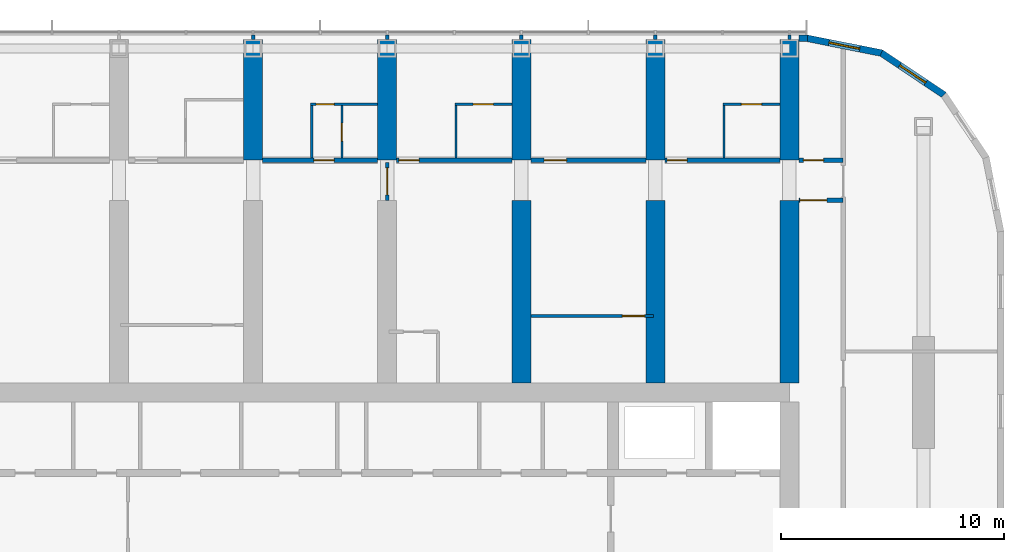
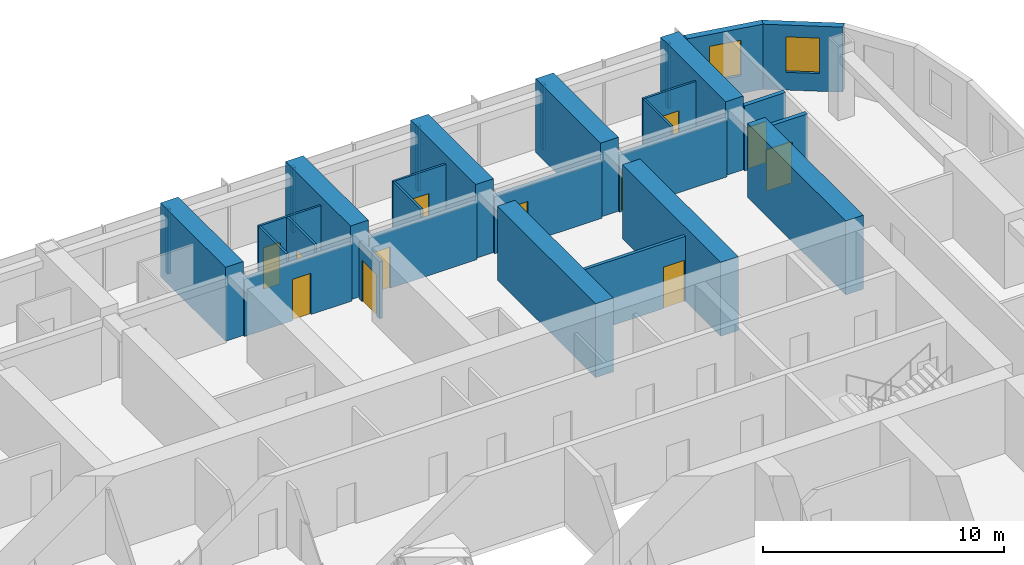
# One storey, part 16 of 22: 31 walls, 12 doors, 2 windows, 14 openings.
"""IFC4 building model written with IfcOpenShell, lengths in metres."""

from ifc_helpers import new_model, si_unit, direction, frame, frame_2d, origin, place, context, subcontext, project, spatial, polyline, rectangle, outline, extrude, material, layer, layer_set, type_object, element, fill, save


model = new_model("IFC4")

# Units and contexts
model_context = context("Model", 3, precision=1e-05, world=origin(), true_north=direction((0.0, 1.0)))
body_context = subcontext(model_context, "Body", "Model", "MODEL_VIEW")
ifc_project = project(units=[si_unit("LENGTHUNIT", "METRE"), si_unit("AREAUNIT", "SQUARE_METRE"), si_unit("VOLUMEUNIT", "CUBIC_METRE"), si_unit("PLANEANGLEUNIT", "RADIAN"), si_unit("MASSUNIT", "GRAM", prefix="KILO")], contexts=[model_context])

# Site, building, storey
site_placement = place(None, origin())
site = spatial("IfcSite", under=ifc_project, at=site_placement, CompositionType="ELEMENT")
building_placement = place(site_placement, origin())
building = spatial("IfcBuilding", under=site, at=building_placement, Name="Orbita Commons", CompositionType="ELEMENT")
storey_placement = place(building_placement, frame((0.0, 0.0, 144.85009765625)))
storey = spatial("IfcBuildingStorey", under=building, at=storey_placement, Name="L35", CompositionType="ELEMENT", Elevation=144.85009765625)

# Wall, opening, door
ifc_material_1 = material(Name="Concrete blockwork", Category="masonry")
ifc_layer_1 = layer(ifc_material_1, 0.199951171875)
ifc_layer_set_1 = layer_set([ifc_layer_1], Name="Concrete blockwork")
wall_type_1 = type_object("IfcWallType", Name="Corridor wall 200 blockwork", PredefinedType="SOLIDWALL", material=ifc_layer_set_1)
wall_1_placement = place(storey_placement, frame((42.425048828125, 48.60009765625, 0.0), z_axis=(0.0, 0.0, 1.0), x_axis=(1.0, 0.0, 0.0)))
wall_1 = element("IfcWall", 1, at=wall_1_placement, inside=storey, type_object=wall_type_1, Name="Corridor wall 200 blockwork L35", PredefinedType="SOLIDWALL", context=body_context, shape_type="SweptSolid", body=[
    extrude(outline(polyline([(0.0, 0.0), (5.14990234375, 0.0), (5.14990234375, 2.89990234375), (0.0, 2.89990234375), (0.0, 0.0)])), frame((0.0, 0.10009765625, 0.0), z_axis=(0.0, -1.0, 0.0), x_axis=(1.0, 0.0, 0.0)), (0.0, 0.0, 1.0), 0.199951171875),
])
opening_1_placement = place(wall_1_placement, frame((2.300048828125, 0.0, 0.0)))
opening_1 = element("IfcOpeningElement", 2, at=opening_1_placement, cuts=wall_1, Name="Opening D11", PredefinedType="OPENING", context=body_context, shape_type="SweptSolid", body=[
    extrude(rectangle(XDim=0.89990234375, YDim=2.10009765625, at=frame_2d((0.449951171875, 1.050048828125))), frame((0.0, 0.10986328125, 0.0), z_axis=(0.0, -1.0, 0.0), x_axis=(1.0, 0.0, 0.0)), (0.0, 0.0, 1.0), 0.219970703125),
])
ifc_material_2 = material(Name="Steel-faced fire door leaf", Category="steel")
door_type_1 = type_object("IfcDoorType", Name="Corridor door 20 min 900x2100", OperationType="SINGLE_SWING_LEFT", PredefinedType="DOOR", material=ifc_material_2)
door_1_placement = place(opening_1_placement, origin())
door_1 = element("IfcDoor", 3, at=door_1_placement, inside=storey, type_object=door_type_1, Name="Studio flat L35-N08 entrance door", OperationType="SINGLE_SWING_LEFT", OverallHeight=2.10009765625, OverallWidth=0.89990234375, PredefinedType="DOOR", context=body_context, shape_type="SweptSolid", body=[
    extrude(rectangle(XDim=0.89990234375, YDim=2.10009765625, at=frame_2d((0.449951171875, 1.050048828125))), frame((0.0, 0.02490234375, 0.0), z_axis=(0.0, -1.0, 0.0), x_axis=(1.0, 0.0, 0.0)), (0.0, 0.0, 1.0), 0.050048828125),
])
fill(opening_1, door_1)

wall_2_placement = place(storey_placement, frame((48.425048828125, 48.60009765625, 0.0), z_axis=(0.0, 0.0, 1.0), x_axis=(1.0, 0.0, 0.0)))
wall_2 = element("IfcWall", 4, at=wall_2_placement, inside=storey, type_object=wall_type_1, Name="Corridor wall 200 blockwork L35", PredefinedType="SOLIDWALL", context=body_context, shape_type="SweptSolid", body=[
    extrude(outline(polyline([(0.0, 0.0), (5.14990234375, 0.0), (5.14990234375, 2.89990234375), (0.0, 2.89990234375), (0.0, 0.0)])), frame((0.0, 0.10009765625, 0.0), z_axis=(0.0, -1.0, 0.0), x_axis=(1.0, 0.0, 0.0)), (0.0, 0.0, 1.0), 0.199951171875),
])
opening_2_placement = place(wall_2_placement, frame((0.10009765625, 0.0, 0.0)))
opening_2 = element("IfcOpeningElement", 5, at=opening_2_placement, cuts=wall_2, Name="Opening D11", PredefinedType="OPENING", context=body_context, shape_type="SweptSolid", body=[
    extrude(rectangle(XDim=0.89990234375, YDim=2.10009765625, at=frame_2d((0.449951171875, 1.050048828125))), frame((0.0, 0.10986328125, 0.0), z_axis=(0.0, -1.0, 0.0), x_axis=(1.0, 0.0, 0.0)), (0.0, 0.0, 1.0), 0.219970703125),
])
door_2_placement = place(opening_2_placement, origin())
door_2 = element("IfcDoor", 6, at=door_2_placement, inside=storey, type_object=door_type_1, Name="Twin room L35-N10 door", OperationType="SINGLE_SWING_LEFT", OverallHeight=2.10009765625, OverallWidth=0.89990234375, PredefinedType="DOOR", context=body_context, shape_type="SweptSolid", body=[
    extrude(rectangle(XDim=0.89990234375, YDim=2.10009765625, at=frame_2d((0.449951171875, 1.050048828125))), frame((0.0, 0.02490234375, 0.0), z_axis=(0.0, -1.0, 0.0), x_axis=(1.0, 0.0, 0.0)), (0.0, 0.0, 1.0), 0.050048828125),
])
fill(opening_2, door_2)

wall_3_placement = place(storey_placement, frame((54.425048828125, 48.60009765625, 0.0), z_axis=(0.0, 0.0, 1.0), x_axis=(1.0, 0.0, 0.0)))
wall_3 = element("IfcWall", 7, at=wall_3_placement, inside=storey, type_object=wall_type_1, Name="Corridor wall 200 blockwork L35", PredefinedType="SOLIDWALL", context=body_context, shape_type="SweptSolid", body=[
    extrude(outline(polyline([(0.0, 0.0), (5.14990234375, 0.0), (5.14990234375, 2.89990234375), (0.0, 2.89990234375), (0.0, 0.0)])), frame((0.0, 0.10009765625, 0.0), z_axis=(0.0, -1.0, 0.0), x_axis=(1.0, 0.0, 0.0)), (0.0, 0.0, 1.0), 0.199951171875),
])
opening_3_placement = place(wall_3_placement, frame((0.60009765625, 0.0, 0.0)))
opening_3 = element("IfcOpeningElement", 8, at=opening_3_placement, cuts=wall_3, Name="Opening D06", PredefinedType="OPENING", context=body_context, shape_type="SweptSolid", body=[
    extrude(rectangle(XDim=1.0, YDim=2.10009765625, at=frame_2d((0.5, 1.050048828125))), frame((0.0, 0.10986328125, 0.0), z_axis=(0.0, -1.0, 0.0), x_axis=(1.0, 0.0, 0.0)), (0.0, 0.0, 1.0), 0.219970703125),
])
ifc_material_3 = material(Name="Steel-faced fire door leaf", Category="steel")
door_type_2 = type_object("IfcDoorType", Name="Corridor door 20 min 1000x2100", OperationType="SINGLE_SWING_LEFT", PredefinedType="DOOR", material=ifc_material_3)
door_3_placement = place(opening_3_placement, origin())
door_3 = element("IfcDoor", 9, at=door_3_placement, inside=storey, type_object=door_type_2, Name="Cluster kitchen-diner L35-N12 door", OperationType="SINGLE_SWING_LEFT", OverallHeight=2.10009765625, OverallWidth=1.0, PredefinedType="DOOR", context=body_context, shape_type="SweptSolid", body=[
    extrude(rectangle(XDim=1.0, YDim=2.10009765625, at=frame_2d((0.5, 1.050048828125))), frame((0.0, 0.02490234375, 0.0), z_axis=(0.0, -1.0, 0.0), x_axis=(1.0, 0.0, 0.0)), (0.0, 0.0, 1.0), 0.050048828125),
])
fill(opening_3, door_3)

wall_4_placement = place(storey_placement, frame((60.425048828125, 48.60009765625, 0.0), z_axis=(0.0, 0.0, 1.0), x_axis=(1.0, 0.0, 0.0)))
wall_4 = element("IfcWall", 10, at=wall_4_placement, inside=storey, type_object=wall_type_1, Name="Corridor wall 200 blockwork L35", PredefinedType="SOLIDWALL", context=body_context, shape_type="SweptSolid", body=[
    extrude(outline(polyline([(0.0, 0.0), (5.14990234375, 0.0), (5.14990234375, 2.89990234375), (0.0, 2.89990234375), (0.0, 0.0)])), frame((0.0, 0.10009765625, 0.0), z_axis=(0.0, -1.0, 0.0), x_axis=(1.0, 0.0, 0.0)), (0.0, 0.0, 1.0), 0.199951171875),
])
opening_4_placement = place(wall_4_placement, frame((0.10009765625, 0.0, 0.0)))
opening_4 = element("IfcOpeningElement", 11, at=opening_4_placement, cuts=wall_4, Name="Opening D11", PredefinedType="OPENING", context=body_context, shape_type="SweptSolid", body=[
    extrude(rectangle(XDim=0.89990234375, YDim=2.10009765625, at=frame_2d((0.449951171875, 1.050048828125))), frame((0.0, 0.10986328125, 0.0), z_axis=(0.0, -1.0, 0.0), x_axis=(1.0, 0.0, 0.0)), (0.0, 0.0, 1.0), 0.219970703125),
])
door_4_placement = place(opening_4_placement, origin())
door_4 = element("IfcDoor", 12, at=door_4_placement, inside=storey, type_object=door_type_1, Name="Twin room L35-N14 door", OperationType="SINGLE_SWING_LEFT", OverallHeight=2.10009765625, OverallWidth=0.89990234375, PredefinedType="DOOR", context=body_context, shape_type="SweptSolid", body=[
    extrude(rectangle(XDim=0.89990234375, YDim=2.10009765625, at=frame_2d((0.449951171875, 1.050048828125))), frame((0.0, 0.02490234375, 0.0), z_axis=(0.0, -1.0, 0.0), x_axis=(1.0, 0.0, 0.0)), (0.0, 0.0, 1.0), 0.050048828125),
])
fill(opening_4, door_4)

wall_5_placement = place(storey_placement, frame((66.425048828125, 48.60009765625, 0.0), z_axis=(0.0, 0.0, 1.0), x_axis=(1.0, 0.0, 0.0)))
wall_5 = element("IfcWall", 13, at=wall_5_placement, inside=storey, type_object=wall_type_1, Name="Corridor wall 200 blockwork L35", PredefinedType="SOLIDWALL", context=body_context, shape_type="SweptSolid", body=[
    extrude(rectangle(XDim=1.974853515625, YDim=0.199951171875, at=frame_2d((0.9873046875, 0.0))), origin(), (0.0, 0.0, 1.0), 3.2998046875),
])
opening_5_placement = place(wall_5_placement, frame((0.199951171875, 0.0, 0.0)))
opening_5 = element("IfcOpeningElement", 14, at=opening_5_placement, cuts=wall_5, Name="Opening D05", PredefinedType="OPENING", context=body_context, shape_type="SweptSolid", body=[
    extrude(rectangle(XDim=0.89990234375, YDim=2.10009765625, at=frame_2d((0.449951171875, 1.050048828125))), frame((0.0, 0.10986328125, 0.0), z_axis=(0.0, -1.0, 0.0), x_axis=(1.0, 0.0, 0.0)), (0.0, 0.0, 1.0), 0.219970703125),
])
ifc_material_4 = material(Name="Steel-faced fire door leaf", Category="steel")
door_type_3 = type_object("IfcDoorType", Name="Service door 20 min 900x2100", OperationType="SINGLE_SWING_LEFT", PredefinedType="DOOR", material=ifc_material_4)
door_5_placement = place(opening_5_placement, origin())
door_5 = element("IfcDoor", 15, at=door_5_placement, inside=storey, type_object=door_type_3, Name="Linen store L35-KEN door", OperationType="SINGLE_SWING_LEFT", OverallHeight=2.10009765625, OverallWidth=0.89990234375, PredefinedType="DOOR", context=body_context, shape_type="SweptSolid", body=[
    extrude(rectangle(XDim=0.89990234375, YDim=2.10009765625, at=frame_2d((0.449951171875, 1.050048828125))), frame((0.0, 0.02490234375, 0.0), z_axis=(0.0, -1.0, 0.0), x_axis=(1.0, 0.0, 0.0)), (0.0, 0.0, 1.0), 0.050048828125),
])
fill(opening_5, door_5)

ifc_material_5 = material(Name="Hollow concrete block 200", Category="concrete")
ifc_layer_2 = layer(ifc_material_5, 0.199951171875)
ifc_layer_set_2 = layer_set([ifc_layer_2], Name="Hollow concrete block 200")
wall_type_2 = type_object("IfcWallType", Name="Corridor wall 200 hollow concrete block", PredefinedType="SOLIDWALL", material=ifc_layer_set_2)
wall_6_placement = place(storey_placement, frame((66.425048828125, 46.800048828125, 0.0), z_axis=(0.0, 0.0, 1.0), x_axis=(1.0, 0.0, 0.0)))
wall_6 = element("IfcWall", 16, at=wall_6_placement, inside=storey, type_object=wall_type_2, Name="Corridor wall 200 hollow concrete block L35", PredefinedType="SOLIDWALL", context=body_context, shape_type="SweptSolid", body=[
    extrude(rectangle(XDim=1.974853515625, YDim=0.199951171875, at=frame_2d((0.9873046875, 0.0))), origin(), (0.0, 0.0, 1.0), 3.2998046875),
])
opening_6_placement = place(wall_6_placement, frame((0.050048828125, 0.0, 0.0)))
opening_6 = element("IfcOpeningElement", 17, at=opening_6_placement, cuts=wall_6, Name="Opening D12", PredefinedType="OPENING", context=body_context, shape_type="SweptSolid", body=[
    extrude(rectangle(XDim=1.199951171875, YDim=2.10009765625, at=frame_2d((0.60009765625, 1.050048828125))), frame((0.0, 0.10986328125, 0.0), z_axis=(0.0, -1.0, 0.0), x_axis=(1.0, 0.0, 0.0)), (0.0, 0.0, 1.0), 0.219970703125),
])
ifc_material_6 = material(Name="Steel-faced fire door leaf", Category="steel")
door_type_4 = type_object("IfcDoorType", Name="Double corridor door 20 min 1200x2100", OperationType="DOUBLE_DOOR_SINGLE_SWING", PredefinedType="DOOR", material=ifc_material_6)
door_6_placement = place(opening_6_placement, origin())
door_6 = element("IfcDoor", 18, at=door_6_placement, inside=storey, type_object=door_type_4, Name="Cross corridor doors", OperationType="DOUBLE_DOOR_SINGLE_SWING", OverallHeight=2.10009765625, OverallWidth=1.199951171875, PredefinedType="DOOR", context=body_context, shape_type="SweptSolid", body=[
    extrude(rectangle(XDim=1.199951171875, YDim=2.10009765625, at=frame_2d((0.60009765625, 1.050048828125))), frame((0.0, 0.02490234375, 0.0), z_axis=(0.0, -1.0, 0.0), x_axis=(1.0, 0.0, 0.0)), (0.0, 0.0, 1.0), 0.050048828125),
])
fill(opening_6, door_6)

# Walls
ifc_material_7 = material(Name="Concrete C50/60", Category="concrete")
ifc_layer_3 = layer(ifc_material_7, 0.85009765625)
ifc_layer_set_3 = layer_set([ifc_layer_3], Name="Concrete C50/60")
wall_type_3 = type_object("IfcWallType", Name="Cross wall 850 C50/60", PredefinedType="SHEAR", material=ifc_layer_set_3)
for number, where, z_axis, x_axis, name in (
    (19, (42.0, 48.60009765625, 0.0), (0.0, 0.0, 1.0), (0.0, 1.0, 0.0), "Cross wall 8 north outer L35"),
    (20, (48.0, 48.60009765625, 0.0), (0.0, 0.0, 1.0), (0.0, 1.0, 0.0), "Cross wall 9 north outer L35"),
    (21, (54.0, 48.60009765625, 0.0), (0.0, 0.0, 1.0), (0.0, 1.0, 0.0), "Cross wall 10 north outer L35"),
):
    element("IfcWall", number, at=place(storey_placement, frame(where, z_axis=z_axis, x_axis=x_axis)), inside=storey, type_object=wall_type_3, Name=name, PredefinedType="SHEAR", context=body_context, shape_type="SweptSolid", body=[
        extrude(rectangle(XDim=5.39990234375, YDim=0.85009765625, at=frame_2d((2.699951171875, 0.0))), origin(), (0.0, 0.0, 1.0), 3.75),
    ])
wall_7_placement = place(storey_placement, frame((54.0, 38.625, 0.0), z_axis=(0.0, 0.0, 1.0), x_axis=(0.0, 1.0, 0.0)))
element("IfcWall", 22, at=wall_7_placement, inside=storey, type_object=wall_type_3, Name="Cross wall 10 north inner L35", PredefinedType="SHEAR", context=body_context, shape_type="SweptSolid", body=[
    extrude(rectangle(XDim=8.175048828125, YDim=0.85009765625, at=frame_2d((4.08740234375, 0.0))), origin(), (0.0, 0.0, 1.0), 3.75),
])
wall_8_placement = place(storey_placement, frame((60.0, 48.60009765625, 0.0), z_axis=(0.0, 0.0, 1.0), x_axis=(0.0, 1.0, 0.0)))
element("IfcWall", 23, at=wall_8_placement, inside=storey, type_object=wall_type_3, Name="Cross wall 11 north outer L35", PredefinedType="SHEAR", context=body_context, shape_type="SweptSolid", body=[
    extrude(rectangle(XDim=5.39990234375, YDim=0.85009765625, at=frame_2d((2.699951171875, 0.0))), origin(), (0.0, 0.0, 1.0), 3.75),
])
wall_9_placement = place(storey_placement, frame((60.0, 38.625, 0.0), z_axis=(0.0, 0.0, 1.0), x_axis=(0.0, 1.0, 0.0)))
element("IfcWall", 24, at=wall_9_placement, inside=storey, type_object=wall_type_3, Name="Cross wall 11 north inner L35", PredefinedType="SHEAR", context=body_context, shape_type="SweptSolid", body=[
    extrude(rectangle(XDim=8.175048828125, YDim=0.85009765625, at=frame_2d((4.08740234375, 0.0))), origin(), (0.0, 0.0, 1.0), 3.75),
])
wall_10_placement = place(storey_placement, frame((66.0, 48.60009765625, 0.0), z_axis=(0.0, 0.0, 1.0), x_axis=(0.0, 1.0, 0.0)))
element("IfcWall", 25, at=wall_10_placement, inside=storey, type_object=wall_type_3, Name="Cross wall 12 north outer L35", PredefinedType="SHEAR", context=body_context, shape_type="SweptSolid", body=[
    extrude(rectangle(XDim=5.39990234375, YDim=0.85009765625, at=frame_2d((2.699951171875, 0.0))), origin(), (0.0, 0.0, 1.0), 3.75),
])
wall_11_placement = place(storey_placement, frame((66.0, 38.625, 0.0), z_axis=(0.0, 0.0, 1.0), x_axis=(0.0, 1.0, 0.0)))
element("IfcWall", 26, at=wall_11_placement, inside=storey, type_object=wall_type_3, Name="Cross wall 12 north inner L35", PredefinedType="SHEAR", context=body_context, shape_type="SweptSolid", body=[
    extrude(rectangle(XDim=8.175048828125, YDim=0.85009765625, at=frame_2d((4.08740234375, 0.0))), origin(), (0.0, 0.0, 1.0), 3.75),
])

# Wall, opening, door
ifc_material_8 = material(Name="Moisture-resistant plasterboard on steel studs", Category="steel")
ifc_layer_4 = layer(ifc_material_8, 0.10009765625)
ifc_layer_set_4 = layer_set([ifc_layer_4], Name="Moisture-resistant plasterboard on steel studs")
wall_type_4 = type_object("IfcWallType", Name="En-suite partition 100", PredefinedType="PARTITIONING", material=ifc_layer_set_4)
wall_12_placement = place(storey_placement, frame((44.574951171875, 51.10009765625, 0.0), z_axis=(0.0, 0.0, 1.0), x_axis=(1.0, 0.0, 0.0)))
wall_12 = element("IfcWall", 27, at=wall_12_placement, inside=storey, type_object=wall_type_4, Name="En-suite partition 100 L35", PredefinedType="PARTITIONING", context=body_context, shape_type="SweptSolid", body=[
    extrude(rectangle(XDim=3.0, YDim=0.10009765625, at=frame_2d((1.5, 0.0))), origin(), (0.0, 0.0, 1.0), 3.2998046875),
])
opening_7_placement = place(wall_12_placement, frame((0.25, 0.0, 0.0)))
opening_7 = element("IfcOpeningElement", 28, at=opening_7_placement, cuts=wall_12, Name="Opening D16", PredefinedType="OPENING", context=body_context, shape_type="SweptSolid", body=[
    extrude(rectangle(XDim=0.800048828125, YDim=2.10009765625, at=frame_2d((0.39990234375, 1.050048828125))), frame((0.0, 0.06005859375, 0.0), z_axis=(0.0, -1.0, 0.0), x_axis=(1.0, 0.0, 0.0)), (0.0, 0.0, 1.0), 0.1201171875),
])
ifc_material_9 = material(Name="Laminated timber door leaf", Category="wood")
door_type_5 = type_object("IfcDoorType", Name="En-suite door 800x2100", OperationType="SINGLE_SWING_RIGHT", PredefinedType="DOOR", material=ifc_material_9)
door_7_placement = place(opening_7_placement, origin())
door_7 = element("IfcDoor", 29, at=door_7_placement, inside=storey, type_object=door_type_5, Name="Studio flat L35-N08 door", OperationType="SINGLE_SWING_RIGHT", OverallHeight=2.10009765625, OverallWidth=0.800048828125, PredefinedType="DOOR", context=body_context, shape_type="SweptSolid", body=[
    extrude(rectangle(XDim=0.800048828125, YDim=2.10009765625, at=frame_2d((0.39990234375, 1.050048828125))), frame((0.0, 0.02490234375, 0.0), z_axis=(0.0, -1.0, 0.0), x_axis=(1.0, 0.0, 0.0)), (0.0, 0.0, 1.0), 0.050048828125),
])
fill(opening_7, door_7)

# Wall
wall_13_placement = place(storey_placement, frame((44.625, 51.050048828125, 0.0), z_axis=(0.0, 0.0, 1.0), x_axis=(0.0, -1.0, 0.0)))
element("IfcWall", 30, at=wall_13_placement, inside=storey, type_object=wall_type_4, Name="En-suite partition 100 L35", PredefinedType="PARTITIONING", context=body_context, shape_type="SweptSolid", body=[
    extrude(outline(polyline([(0.0, 0.0), (2.35009765625, 0.0), (2.35009765625, 2.89990234375), (2.302001953125, 2.89990234375), (2.300048828125, 3.2998046875), (0.0, 3.2998046875), (0.0, 0.0)])), frame((0.0, 0.050048828125, 0.0), z_axis=(0.0, -1.0, 0.0), x_axis=(1.0, 0.0, 0.0)), (0.0, 0.0, 1.0), 0.10009765625),
])

# Wall, opening, door
wall_14_placement = place(storey_placement, frame((45.97509765625, 51.050048828125, 0.0), z_axis=(0.0, 0.0, 1.0), x_axis=(0.0, -1.0, 0.0)))
wall_14 = element("IfcWall", 31, at=wall_14_placement, inside=storey, type_object=wall_type_4, Name="En-suite partition 100 L35", PredefinedType="PARTITIONING", context=body_context, shape_type="SweptSolid", body=[
    extrude(outline(polyline([(0.0, 0.0), (2.35009765625, 0.0), (2.35009765625, 2.89990234375), (2.302001953125, 2.89990234375), (2.300048828125, 3.2998046875), (0.0, 3.2998046875), (0.0, 0.0)])), frame((0.0, 0.050048828125, 0.0), z_axis=(0.0, -1.0, 0.0), x_axis=(1.0, 0.0, 0.0)), (0.0, 0.0, 1.0), 0.10009765625),
])
opening_8_placement = place(wall_14_placement, frame((0.800048828125, 0.0, 0.0)))
opening_8 = element("IfcOpeningElement", 32, at=opening_8_placement, cuts=wall_14, Name="Opening D16", PredefinedType="OPENING", context=body_context, shape_type="SweptSolid", body=[
    extrude(rectangle(XDim=0.800048828125, YDim=2.10009765625, at=frame_2d((0.39990234375, 1.050048828125))), frame((0.0, 0.06005859375, 0.0), z_axis=(0.0, -1.0, 0.0), x_axis=(1.0, 0.0, 0.0)), (0.0, 0.0, 1.0), 0.1201171875),
])
door_8_placement = place(opening_8_placement, origin())
door_8 = element("IfcDoor", 33, at=door_8_placement, inside=storey, type_object=door_type_5, Name="Studio flat shower room L35-N08 door", OperationType="SINGLE_SWING_RIGHT", OverallHeight=2.10009765625, OverallWidth=0.800048828125, PredefinedType="DOOR", context=body_context, shape_type="SweptSolid", body=[
    extrude(rectangle(XDim=0.800048828125, YDim=2.10009765625, at=frame_2d((0.39990234375, 1.050048828125))), frame((0.0, 0.02490234375, 0.0), z_axis=(0.0, -1.0, 0.0), x_axis=(1.0, 0.0, 0.0)), (0.0, 0.0, 1.0), 0.050048828125),
])
fill(opening_8, door_8)

wall_15_placement = place(storey_placement, frame((51.02490234375, 51.10009765625, 0.0), z_axis=(0.0, 0.0, 1.0), x_axis=(1.0, 0.0, 0.0)))
wall_15 = element("IfcWall", 34, at=wall_15_placement, inside=storey, type_object=wall_type_4, Name="En-suite partition 100 L35", PredefinedType="PARTITIONING", context=body_context, shape_type="SweptSolid", body=[
    extrude(rectangle(XDim=2.550048828125, YDim=0.10009765625, at=frame_2d((1.27490234375, 0.0))), origin(), (0.0, 0.0, 1.0), 3.2998046875),
])
opening_9_placement = place(wall_15_placement, frame((0.824951171875, 0.0, 0.0)))
opening_9 = element("IfcOpeningElement", 35, at=opening_9_placement, cuts=wall_15, Name="Opening D09", PredefinedType="OPENING", context=body_context, shape_type="SweptSolid", body=[
    extrude(rectangle(XDim=0.89990234375, YDim=2.10009765625, at=frame_2d((0.449951171875, 1.050048828125))), frame((0.0, 0.06005859375, 0.0), z_axis=(0.0, -1.0, 0.0), x_axis=(1.0, 0.0, 0.0)), (0.0, 0.0, 1.0), 0.1201171875),
])
ifc_material_10 = material(Name="Laminated timber door leaf", Category="wood")
door_type_6 = type_object("IfcDoorType", Name="En-suite door 900x2100", OperationType="SINGLE_SWING_RIGHT", PredefinedType="DOOR", material=ifc_material_10)
door_9_placement = place(opening_9_placement, origin())
door_9 = element("IfcDoor", 36, at=door_9_placement, inside=storey, type_object=door_type_6, Name="En-suite L35-N10 door", OperationType="SINGLE_SWING_RIGHT", OverallHeight=2.10009765625, OverallWidth=0.89990234375, PredefinedType="DOOR", context=body_context, shape_type="SweptSolid", body=[
    extrude(rectangle(XDim=0.89990234375, YDim=2.10009765625, at=frame_2d((0.449951171875, 1.050048828125))), frame((0.0, 0.02490234375, 0.0), z_axis=(0.0, -1.0, 0.0), x_axis=(1.0, 0.0, 0.0)), (0.0, 0.0, 1.0), 0.050048828125),
])
fill(opening_9, door_9)

# Wall
wall_16_placement = place(storey_placement, frame((51.074951171875, 51.050048828125, 0.0), z_axis=(0.0, 0.0, 1.0), x_axis=(0.0, -1.0, 0.0)))
element("IfcWall", 37, at=wall_16_placement, inside=storey, type_object=wall_type_4, Name="En-suite partition 100 L35", PredefinedType="PARTITIONING", context=body_context, shape_type="SweptSolid", body=[
    extrude(outline(polyline([(0.0, 0.0), (2.35009765625, 0.0), (2.35009765625, 2.89990234375), (2.302001953125, 2.89990234375), (2.300048828125, 3.2998046875), (0.0, 3.2998046875), (0.0, 0.0)])), frame((0.0, 0.050048828125, 0.0), z_axis=(0.0, -1.0, 0.0), x_axis=(1.0, 0.0, 0.0)), (0.0, 0.0, 1.0), 0.10009765625),
])

# Wall, opening, door
wall_17_placement = place(storey_placement, frame((63.02490234375, 51.10009765625, 0.0), z_axis=(0.0, 0.0, 1.0), x_axis=(1.0, 0.0, 0.0)))
wall_17 = element("IfcWall", 38, at=wall_17_placement, inside=storey, type_object=wall_type_4, Name="En-suite partition 100 L35", PredefinedType="PARTITIONING", context=body_context, shape_type="SweptSolid", body=[
    extrude(rectangle(XDim=2.550048828125, YDim=0.10009765625, at=frame_2d((1.27490234375, 0.0))), origin(), (0.0, 0.0, 1.0), 3.2998046875),
])
opening_10_placement = place(wall_17_placement, frame((0.824951171875, 0.0, 0.0)))
opening_10 = element("IfcOpeningElement", 39, at=opening_10_placement, cuts=wall_17, Name="Opening D09", PredefinedType="OPENING", context=body_context, shape_type="SweptSolid", body=[
    extrude(rectangle(XDim=0.89990234375, YDim=2.10009765625, at=frame_2d((0.449951171875, 1.050048828125))), frame((0.0, 0.06005859375, 0.0), z_axis=(0.0, -1.0, 0.0), x_axis=(1.0, 0.0, 0.0)), (0.0, 0.0, 1.0), 0.1201171875),
])
door_10_placement = place(opening_10_placement, origin())
door_10 = element("IfcDoor", 40, at=door_10_placement, inside=storey, type_object=door_type_6, Name="En-suite L35-N14 door", OperationType="SINGLE_SWING_RIGHT", OverallHeight=2.10009765625, OverallWidth=0.89990234375, PredefinedType="DOOR", context=body_context, shape_type="SweptSolid", body=[
    extrude(rectangle(XDim=0.89990234375, YDim=2.10009765625, at=frame_2d((0.449951171875, 1.050048828125))), frame((0.0, 0.02490234375, 0.0), z_axis=(0.0, -1.0, 0.0), x_axis=(1.0, 0.0, 0.0)), (0.0, 0.0, 1.0), 0.050048828125),
])
fill(opening_10, door_10)

# Wall
wall_18_placement = place(storey_placement, frame((63.074951171875, 51.050048828125, 0.0), z_axis=(0.0, 0.0, 1.0), x_axis=(0.0, -1.0, 0.0)))
element("IfcWall", 41, at=wall_18_placement, inside=storey, type_object=wall_type_4, Name="En-suite partition 100 L35", PredefinedType="PARTITIONING", context=body_context, shape_type="SweptSolid", body=[
    extrude(outline(polyline([(0.0, 0.0), (2.35009765625, 0.0), (2.35009765625, 2.89990234375), (2.302001953125, 2.89990234375), (2.300048828125, 3.2998046875), (0.0, 3.2998046875), (0.0, 0.0)])), frame((0.0, 0.050048828125, 0.0), z_axis=(0.0, -1.0, 0.0), x_axis=(1.0, 0.0, 0.0)), (0.0, 0.0, 1.0), 0.10009765625),
])

# Wall, opening, door
ifc_material_11 = material(Name="Gypsum plasterboard on steel studs", Category="steel")
ifc_layer_5 = layer(ifc_material_11, 0.14990234375)
ifc_layer_set_5 = layer_set([ifc_layer_5], Name="Gypsum plasterboard on steel studs")
wall_type_5 = type_object("IfcWallType", Name="Partition 150 plasterboard", PredefinedType="PARTITIONING", material=ifc_layer_set_5)
wall_19_placement = place(storey_placement, frame((59.925048828125, 41.625, 0.0), z_axis=(0.0, 0.0, 1.0), x_axis=(-1.0, 0.0, 0.0)))
wall_19 = element("IfcWall", 42, at=wall_19_placement, inside=storey, type_object=wall_type_5, Name="Partition 150 plasterboard L35", PredefinedType="PARTITIONING", context=body_context, shape_type="SweptSolid", body=[
    extrude(rectangle(XDim=5.5, YDim=0.14990234375, at=frame_2d((2.75, 0.0))), origin(), (0.0, 0.0, 1.0), 3.2998046875),
])
opening_11_placement = place(wall_19_placement, frame((0.39990234375, 0.0, 0.0)))
opening_11 = element("IfcOpeningElement", 43, at=opening_11_placement, cuts=wall_19, Name="Opening D18", PredefinedType="OPENING", context=body_context, shape_type="SweptSolid", body=[
    extrude(rectangle(XDim=1.0, YDim=2.10009765625, at=frame_2d((0.5, 1.050048828125))), frame((0.0, 0.0849609375, 0.0), z_axis=(0.0, -1.0, 0.0), x_axis=(1.0, 0.0, 0.0)), (0.0, 0.0, 1.0), 0.169921875),
])
ifc_material_12 = material(Name="Steel-faced fire door leaf", Category="steel")
door_type_7 = type_object("IfcDoorType", Name="Service door 20 min 1000x2100", OperationType="SINGLE_SWING_LEFT", PredefinedType="DOOR", material=ifc_material_12)
door_11_placement = place(opening_11_placement, origin())
door_11 = element("IfcDoor", 44, at=door_11_placement, inside=storey, type_object=door_type_7, Name="Bulk and luggage store L35-BDN54 door", OperationType="SINGLE_SWING_LEFT", OverallHeight=2.10009765625, OverallWidth=1.0, PredefinedType="DOOR", context=body_context, shape_type="SweptSolid", body=[
    extrude(rectangle(XDim=1.0, YDim=2.10009765625, at=frame_2d((0.5, 1.050048828125))), frame((0.0, 0.02490234375, 0.0), z_axis=(0.0, -1.0, 0.0), x_axis=(1.0, 0.0, 0.0)), (0.0, 0.0, 1.0), 0.050048828125),
])
fill(opening_11, door_11)

wall_20_placement = place(storey_placement, frame((48.0, 46.800048828125, 0.0), z_axis=(0.0, 0.0, 1.0), x_axis=(0.0, 1.0, 0.0)))
wall_20 = element("IfcWall", 45, at=wall_20_placement, inside=storey, type_object=wall_type_5, Name="Partition 150 plasterboard L35", PredefinedType="PARTITIONING", context=body_context, shape_type="SweptSolid", body=[
    extrude(outline(polyline([(0.0, 0.0), (1.699951171875, 0.0), (1.699951171875, 2.89990234375), (0.0, 2.89990234375), (0.0, 0.0)])), frame((0.0, 0.074951171875, 0.0), z_axis=(0.0, -1.0, 0.0), x_axis=(1.0, 0.0, 0.0)), (0.0, 0.0, 1.0), 0.14990234375),
])
opening_12_placement = place(wall_20_placement, frame((0.25, 0.0, 0.0)))
opening_12 = element("IfcOpeningElement", 46, at=opening_12_placement, cuts=wall_20, Name="Opening D12", PredefinedType="OPENING", context=body_context, shape_type="SweptSolid", body=[
    extrude(rectangle(XDim=1.199951171875, YDim=2.10009765625, at=frame_2d((0.60009765625, 1.050048828125))), frame((0.0, 0.0849609375, 0.0), z_axis=(0.0, -1.0, 0.0), x_axis=(1.0, 0.0, 0.0)), (0.0, 0.0, 1.0), 0.169921875),
])
door_12_placement = place(opening_12_placement, origin())
door_12 = element("IfcDoor", 47, at=door_12_placement, inside=storey, type_object=door_type_4, Name="Social spine north screen doors", OperationType="DOUBLE_DOOR_SINGLE_SWING", OverallHeight=2.10009765625, OverallWidth=1.199951171875, PredefinedType="DOOR", context=body_context, shape_type="SweptSolid", body=[
    extrude(rectangle(XDim=1.199951171875, YDim=2.10009765625, at=frame_2d((0.60009765625, 1.050048828125))), frame((0.0, 0.02490234375, 0.0), z_axis=(0.0, -1.0, 0.0), x_axis=(1.0, 0.0, 0.0)), (0.0, 0.0, 1.0), 0.050048828125),
])
fill(opening_12, door_12)

# Walls
for number, where, z_axis, x_axis, name in (
    (48, (42.0, 54.0, 0.0), (0.0, 0.0, 1.0), (0.0, 1.0, 0.0), "Partition 150 plasterboard L35"),
    (49, (48.0, 54.0, 0.0), (0.0, 0.0, 1.0), (0.0, 1.0, 0.0), "Partition 150 plasterboard L35"),
    (50, (54.0, 54.0, 0.0), (0.0, 0.0, 1.0), (0.0, 1.0, 0.0), "Partition 150 plasterboard L35"),
    (51, (60.0, 54.0, 0.0), (0.0, 0.0, 1.0), (0.0, 1.0, 0.0), "Partition 150 plasterboard L35"),
    (52, (66.0, 54.0, 0.0), (0.0, 0.0, 1.0), (0.0, 1.0, 0.0), "Partition 150 plasterboard L35"),
):
    element("IfcWall", number, at=place(storey_placement, frame(where, z_axis=z_axis, x_axis=x_axis)), inside=storey, type_object=wall_type_5, Name=name, PredefinedType="PARTITIONING", context=body_context, shape_type="SweptSolid", body=[
        extrude(rectangle(XDim=0.18994140625, YDim=0.14990234375, at=frame_2d((0.094970703125, 0.0))), origin(), (0.0, 0.0, 1.0), 3.2998046875),
    ])

# Wall, opening, window
ifc_material_13 = material(Name="Precast concrete C40/50, white board-marked finish", Category="concrete")
ifc_layer_6 = layer(ifc_material_13, 0.300048828125)
ifc_layer_set_6 = layer_set([ifc_layer_6], Name="Precast concrete C40/50, white board-marked finish")
wall_type_6 = type_object("IfcWallType", Name="Precast concrete end shield 300", PredefinedType="SOLIDWALL", material=ifc_layer_set_6)
wall_21_placement = place(storey_placement, frame((72.91650390625, 51.5166015625, 0.0), z_axis=(0.0, 0.0, 1.0), x_axis=(-0.831493450887, 0.555534554399, 0.0)))
wall_21 = element("IfcWall", 53, at=wall_21_placement, inside=storey, type_object=wall_type_6, Name="End shield NE chord 3 L35", PredefinedType="SOLIDWALL", context=body_context, shape_type="SweptSolid", body=[
    extrude(outline(polyline([(-0.02978515625, -0.14990234375), (3.405029296875, -0.14990234375), (3.345458984375, 0.14990234375), (0.02978515625, 0.14990234375), (-0.02978515625, -0.14990234375)])), origin(), (0.0, 0.0, 1.0), 3.2998046875),
])
opening_13_placement = place(wall_21_placement, frame((0.987548828125, 0.0, 0.89990234375)))
opening_13 = element("IfcOpeningElement", 54, at=opening_13_placement, cuts=wall_21, Name="Opening W02", PredefinedType="OPENING", context=body_context, shape_type="SweptSolid", body=[
    extrude(rectangle(XDim=1.39990234375, YDim=1.800048828125, at=frame_2d((0.699951171875, 0.89990234375))), frame((0.0, 0.159912109375, 0.0), z_axis=(0.0, -1.0, 0.0), x_axis=(1.0, 0.0, 0.0)), (0.0, 0.0, 1.0), 0.320068359375),
])
ifc_material_14 = material(Name="Aluminium frame, clear double glazing", Category="aluminium")
window_type = type_object("IfcWindowType", Name="Deep-set window 1400x1800", PartitioningType="SINGLE_PANEL", PredefinedType="WINDOW", material=ifc_material_14)
window_1_placement = place(opening_13_placement, origin())
window_1 = element("IfcWindow", 55, at=window_1_placement, inside=storey, type_object=window_type, Name="Window L35-NE2", OverallHeight=1.800048828125, OverallWidth=1.39990234375, PartitioningType="SINGLE_PANEL", PredefinedType="WINDOW", context=body_context, shape_type="SweptSolid", body=[
    extrude(rectangle(XDim=1.39990234375, YDim=1.800048828125, at=frame_2d((0.699951171875, 0.89990234375))), frame((0.0, 0.030029296875, 0.0), z_axis=(0.0, -1.0, 0.0), x_axis=(1.0, 0.0, 0.0)), (0.0, 0.0, 1.0), 0.06005859375),
])
fill(opening_13, window_1)

wall_22_placement = place(storey_placement, frame((70.110107421875, 53.3916015625, 0.0), z_axis=(0.0, 0.0, 1.0), x_axis=(-0.98078325777, 0.195100490205, 0.0)))
wall_22 = element("IfcWall", 56, at=wall_22_placement, inside=storey, type_object=wall_type_6, Name="End shield NE chord 4 L35", PredefinedType="SOLIDWALL", context=body_context, shape_type="SweptSolid", body=[
    extrude(outline(polyline([(-0.02978515625, -0.14990234375), (3.40478515625, -0.14990234375), (3.34521484375, 0.14990234375), (0.02978515625, 0.14990234375), (-0.02978515625, -0.14990234375)])), origin(), (0.0, 0.0, 1.0), 3.2998046875),
])
opening_14_placement = place(wall_22_placement, frame((0.987548828125, 0.0, 0.89990234375)))
opening_14 = element("IfcOpeningElement", 57, at=opening_14_placement, cuts=wall_22, Name="Opening W02", PredefinedType="OPENING", context=body_context, shape_type="SweptSolid", body=[
    extrude(rectangle(XDim=1.39990234375, YDim=1.800048828125, at=frame_2d((0.699951171875, 0.89990234375))), frame((0.0, 0.159912109375, 0.0), z_axis=(0.0, -1.0, 0.0), x_axis=(1.0, 0.0, 0.0)), (0.0, 0.0, 1.0), 0.320068359375),
])
window_2_placement = place(opening_14_placement, origin())
window_2 = element("IfcWindow", 58, at=window_2_placement, inside=storey, type_object=window_type, Name="Window L35-NE3", OverallHeight=1.800048828125, OverallWidth=1.39990234375, PartitioningType="SINGLE_PANEL", PredefinedType="WINDOW", context=body_context, shape_type="SweptSolid", body=[
    extrude(rectangle(XDim=1.39990234375, YDim=1.800048828125, at=frame_2d((0.699951171875, 0.89990234375))), frame((0.0, 0.030029296875, 0.0), z_axis=(0.0, -1.0, 0.0), x_axis=(1.0, 0.0, 0.0)), (0.0, 0.0, 1.0), 0.06005859375),
])
fill(opening_14, window_2)

# Wall
wall_23_placement = place(storey_placement, frame((66.800048828125, 54.050048828125, 0.0), z_axis=(0.0, 0.0, 1.0), x_axis=(-1.0, 0.0, 0.0)))
element("IfcWall", 59, at=wall_23_placement, inside=storey, type_object=wall_type_6, Name="End shield NE closer L35", PredefinedType="SOLIDWALL", context=body_context, shape_type="SweptSolid", body=[
    extrude(rectangle(XDim=0.375, YDim=0.300048828125, at=frame_2d((0.1875, 0.0))), origin(), (0.0, 0.0, 1.0), 3.2998046875),
])

save(model, "model.ifc")
